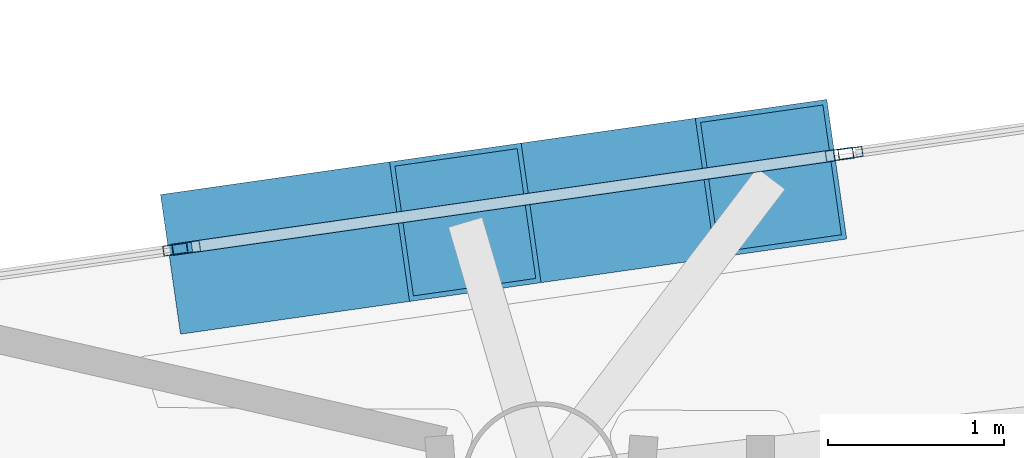
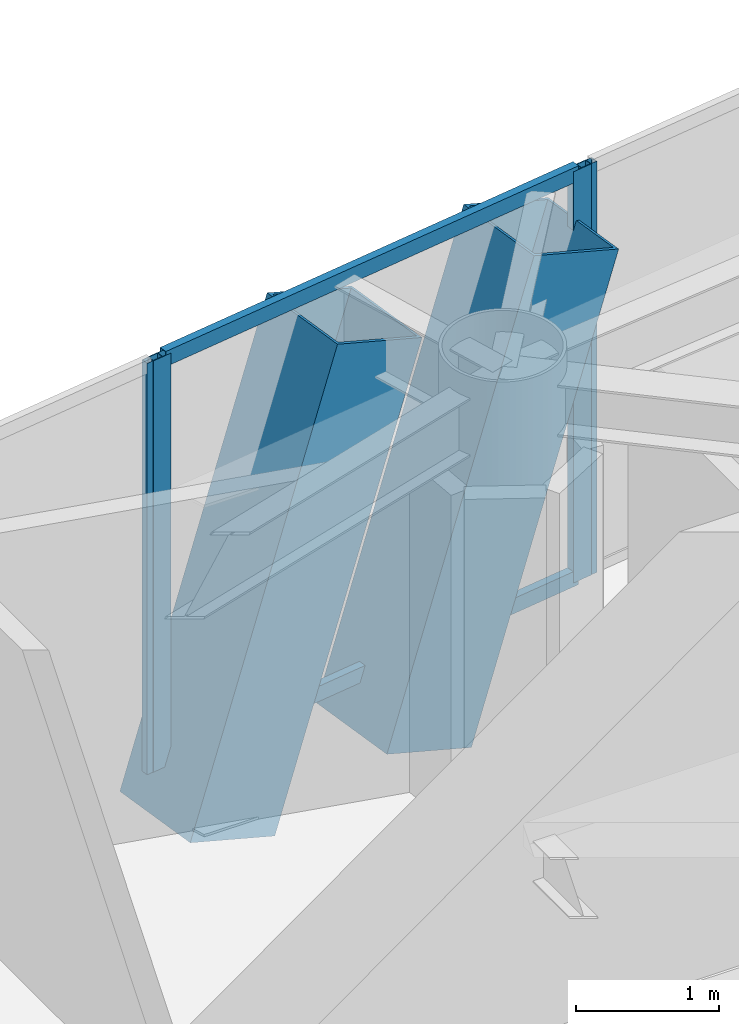
# One storey, part 16 of 25: 8 members, 3 elements without a shape of their own.
"""IFC4 building model written with IfcOpenShell, lengths in metres."""

from ifc_helpers import new_model, si_unit, direction, frame, origin, origin_2d, place, context, subcontext, project, spatial, hollow_rectangle, extrude, material, layer, layer_set, material_profile, profile_set, type_object, element, aggregate, save


model = new_model("IFC4")

# Units and contexts
model_context = context("Model", 3, precision=1e-05, world=origin(), true_north=direction((0.0, 1.0)))
body_context = subcontext(model_context, "Body", "Model", "MODEL_VIEW")
ifc_project = project(units=[si_unit("LENGTHUNIT", "METRE"), si_unit("AREAUNIT", "SQUARE_METRE"), si_unit("VOLUMEUNIT", "CUBIC_METRE"), si_unit("PLANEANGLEUNIT", "RADIAN"), si_unit("MASSUNIT", "GRAM", prefix="KILO")], contexts=[model_context])

# Site, building, storey
site_placement = place(None, origin())
site = spatial("IfcSite", under=ifc_project, at=site_placement, CompositionType="ELEMENT")
building_placement = place(site_placement, origin())
building = spatial("IfcBuilding", under=site, at=building_placement, Name="Qianvela Tower", CompositionType="ELEMENT")
storey_placement = place(building_placement, frame((0.0, 0.0, 291.699951171875)))
storey = spatial("IfcBuildingStorey", under=building, at=storey_placement, Name="L75", CompositionType="ELEMENT", Elevation=291.699951171875)

# Curtain wall, members
ifc_material_1 = material(Name="Anodised Architectural Aluminium and Insulated Spandrel Panel", Category="aluminium")
ifc_layer_1 = layer(ifc_material_1, 0.179931640625)
ifc_layer_set_1 = layer_set([ifc_layer_1], Name="Anodised Architectural Aluminium and Insulated Spandrel Panel")
curtain_wall_type_1 = type_object("IfcCurtainWallType", Name="CW-BRACEBAY", PredefinedType="USERDEFINED", material=ifc_layer_set_1)
curtain_wall_1_placement = place(storey_placement, origin())
curtain_wall_1 = element("IfcCurtainWall", 1, at=curtain_wall_1_placement, inside=storey, type_object=curtain_wall_type_1, Name="L75 CW-BRACEBAY Curtain Wall 02B", ObjectType="CURTAIN_WALL_SYSTEM", PredefinedType="USERDEFINED")
ifc_material_2 = material(Name="Anodised Architectural Aluminium 6063-T6", Category="aluminium")
ifc_material_profile_1 = material_profile(ifc_material_2, hollow_rectangle(XDim=0.06494140625, YDim=0.159912109375, WallThickness=0.0048828125, at=origin_2d()), Name="ALU-MULL-65x160")
ifc_profile_set_1 = profile_set([ifc_material_profile_1], Name="Anodised Architectural Aluminium 6063-T6")
member_type_1 = type_object("IfcMemberType", Name="CW-BRACEBAY-MULL", PredefinedType="MULLION", material=ifc_profile_set_1)
member_1_placement = place(storey_placement, frame((38.16796875, 37.095458984375, 0.0), z_axis=(0.0, 0.0, 1.0), x_axis=(0.141366237355, -0.989957366221, 0.0)))
member_1 = element("IfcMember", 2, at=member_1_placement, type_object=member_type_1, Name="CW-9 mullion 1", PredefinedType="MULLION", context=body_context, shape_type="SweptSolid", body=[
    extrude(hollow_rectangle(XDim=0.06494140625, YDim=0.159912109375, WallThickness=0.0048828125, at=origin_2d()), origin(), (0.0, 0.0, 1.0), 3.52001953125),
])
member_2_placement = place(storey_placement, frame((34.460693359375, 36.56591796875, 0.0), z_axis=(0.0, 0.0, 1.0), x_axis=(0.141366237355, -0.989957366221, 0.0)))
member_2 = element("IfcMember", 3, at=member_2_placement, type_object=member_type_1, Name="CW-9 mullion 2", PredefinedType="MULLION", context=body_context, shape_type="SweptSolid", body=[
    extrude(hollow_rectangle(XDim=0.06494140625, YDim=0.159912109375, WallThickness=0.0048828125, at=origin_2d()), origin(), (0.0, 0.0, 1.0), 3.52001953125),
])
ifc_material_3 = material(Name="Anodised Architectural Aluminium 6063-T6", Category="aluminium")
ifc_material_profile_2 = material_profile(ifc_material_3, hollow_rectangle(XDim=0.06494140625, YDim=0.1298828125, WallThickness=0.00439453125, at=origin_2d()), Name="ALU-TRAN-65x130")
ifc_profile_set_2 = profile_set([ifc_material_profile_2], Name="Anodised Architectural Aluminium 6063-T6")
member_type_2 = type_object("IfcMemberType", Name="CW-BRACEBAY-TRAN", PredefinedType="USERDEFINED", material=ifc_profile_set_2)
member_3_placement = place(storey_placement, frame((38.1357421875, 37.0908203125, 0.032470703125), z_axis=(-0.989954800677, -0.141384202147, 0.0), x_axis=(0.141384202147, -0.989954800677, 0.0)))
member_3 = element("IfcMember", 4, at=member_3_placement, type_object=member_type_2, Name="CW-9 transom 1.1", ObjectType="TRANSOM", PredefinedType="USERDEFINED", context=body_context, shape_type="SweptSolid", body=[
    extrude(hollow_rectangle(XDim=0.06494140625, YDim=0.1298828125, WallThickness=0.00439453125, at=origin_2d()), origin(), (0.0, 0.0, 1.0), 3.6796875),
])
member_4_placement = place(storey_placement, frame((38.1357421875, 37.0908203125, 3.487548828125), z_axis=(-0.989954800677, -0.141384202147, 0.0), x_axis=(0.141384202147, -0.989954800677, 0.0)))
member_4 = element("IfcMember", 5, at=member_4_placement, type_object=member_type_2, Name="CW-9 transom 1.2", ObjectType="TRANSOM", PredefinedType="USERDEFINED", context=body_context, shape_type="SweptSolid", body=[
    extrude(hollow_rectangle(XDim=0.06494140625, YDim=0.1298828125, WallThickness=0.00439453125, at=origin_2d()), origin(), (0.0, 0.0, 1.0), 3.6796875),
])
aggregate(curtain_wall_1, [member_1, member_2, member_3, member_4])

# Curtain wall, member
ifc_material_4 = material(Name="Anodised Architectural Aluminium and Low-E Glass", Category="aluminium")
ifc_layer_2 = layer(ifc_material_4, 0.14990234375)
ifc_layer_set_2 = layer_set([ifc_layer_2], Name="Anodised Architectural Aluminium and Low-E Glass")
curtain_wall_type_2 = type_object("IfcCurtainWallType", Name="CW-COLIV-Z78", PredefinedType="USERDEFINED", material=ifc_layer_set_2)
curtain_wall_2_placement = place(storey_placement, origin())
curtain_wall_2 = element("IfcCurtainWall", 6, at=curtain_wall_2_placement, inside=storey, type_object=curtain_wall_type_2, Name="L75 CW-COLIV-Z78 Curtain Wall 02A", ObjectType="CURTAIN_WALL_SYSTEM", PredefinedType="USERDEFINED")
ifc_material_5 = material(Name="Anodised Architectural Aluminium 6063-T6", Category="aluminium")
ifc_material_profile_3 = material_profile(ifc_material_5, hollow_rectangle(XDim=0.06005859375, YDim=0.139892578125, WallThickness=0.00439453125, at=origin_2d()), Name="ALU-MULL-60x140")
ifc_profile_set_3 = profile_set([ifc_material_profile_3], Name="Anodised Architectural Aluminium 6063-T6")
member_type_3 = type_object("IfcMemberType", Name="CW-COLIV-Z78-MULL", PredefinedType="MULLION", material=ifc_profile_set_3)
member_5_placement = place(storey_placement, frame((38.22998046875, 37.104248046875, 0.0), z_axis=(0.0, 0.0, 1.0), x_axis=(0.141364765579, -0.98995757639, 0.0)))
member_5 = element("IfcMember", 7, at=member_5_placement, type_object=member_type_3, Name="CW-6 mullion 3", PredefinedType="MULLION", context=body_context, shape_type="SweptSolid", body=[
    extrude(hollow_rectangle(XDim=0.06005859375, YDim=0.139892578125, WallThickness=0.00439453125, at=origin_2d()), origin(), (0.0, 0.0, 1.0), 3.52001953125),
])
aggregate(curtain_wall_2, [member_5])

curtain_wall_3_placement = place(storey_placement, origin())
curtain_wall_3 = element("IfcCurtainWall", 8, at=curtain_wall_3_placement, inside=storey, type_object=curtain_wall_type_2, Name="L75 CW-COLIV-Z78 Curtain Wall 02C", ObjectType="CURTAIN_WALL_SYSTEM", PredefinedType="USERDEFINED")
member_6_placement = place(storey_placement, frame((34.398681640625, 36.55712890625, 0.0), z_axis=(0.0, 0.0, 1.0), x_axis=(0.141364696519, -0.989957586252, 0.0)))
member_6 = element("IfcMember", 9, at=member_6_placement, type_object=member_type_3, Name="CW-6 mullion 1", PredefinedType="MULLION", context=body_context, shape_type="SweptSolid", body=[
    extrude(hollow_rectangle(XDim=0.06005859375, YDim=0.139892578125, WallThickness=0.00439453125, at=origin_2d()), origin(), (0.0, 0.0, 1.0), 3.52001953125),
])
aggregate(curtain_wall_3, [member_6])

# Members
ifc_material_6 = material(Name="Steel Q420GJC", Category="steel")
ifc_material_profile_4 = material_profile(ifc_material_6, hollow_rectangle(XDim=0.800048828125, YDim=0.800048828125, WallThickness=0.028076171875, at=origin_2d()), Name="MBOX-800x800x28")
ifc_profile_set_4 = profile_set([ifc_material_profile_4], Name="Steel Q420GJC")
member_type_4 = type_object("IfcMemberType", Name="MBR-MBRACE-800", PredefinedType="BRACE", material=ifc_profile_set_4)
member_7_placement = place(storey_placement, frame((36.479736328125, 36.7734375, -0.48193359375), z_axis=(0.330964447552, 0.047262867369, 0.942458888135), x_axis=(-0.141369272625, 0.989956932779, 0.0)))
element("IfcMember", 10, at=member_7_placement, inside=storey, type_object=member_type_4, Name="L75 Tier 12 Exterior Mega-Brace F1A", PredefinedType="BRACE", context=body_context, shape_type="SweptSolid", body=[
    extrude(hollow_rectangle(XDim=0.800048828125, YDim=0.800048828125, WallThickness=0.028076171875, at=origin_2d()), origin(), (0.0, 0.0, 1.0), 3.92578125),
])
member_8_placement = place(storey_placement, frame((34.74462890625, 36.525634765625, -0.48193359375), z_axis=(0.331019821912, 0.047261894543, 0.942439489212), x_axis=(-0.141343245056, 0.989960649257, 0.0)))
element("IfcMember", 11, at=member_8_placement, inside=storey, type_object=member_type_4, Name="L75 Tier 12 Exterior Mega-Brace F1B", PredefinedType="BRACE", context=body_context, shape_type="SweptSolid", body=[
    extrude(hollow_rectangle(XDim=0.800048828125, YDim=0.800048828125, WallThickness=0.028076171875, at=origin_2d()), origin(), (0.0, 0.0, 1.0), 3.926025390625),
])

save(model, "model.ifc")
